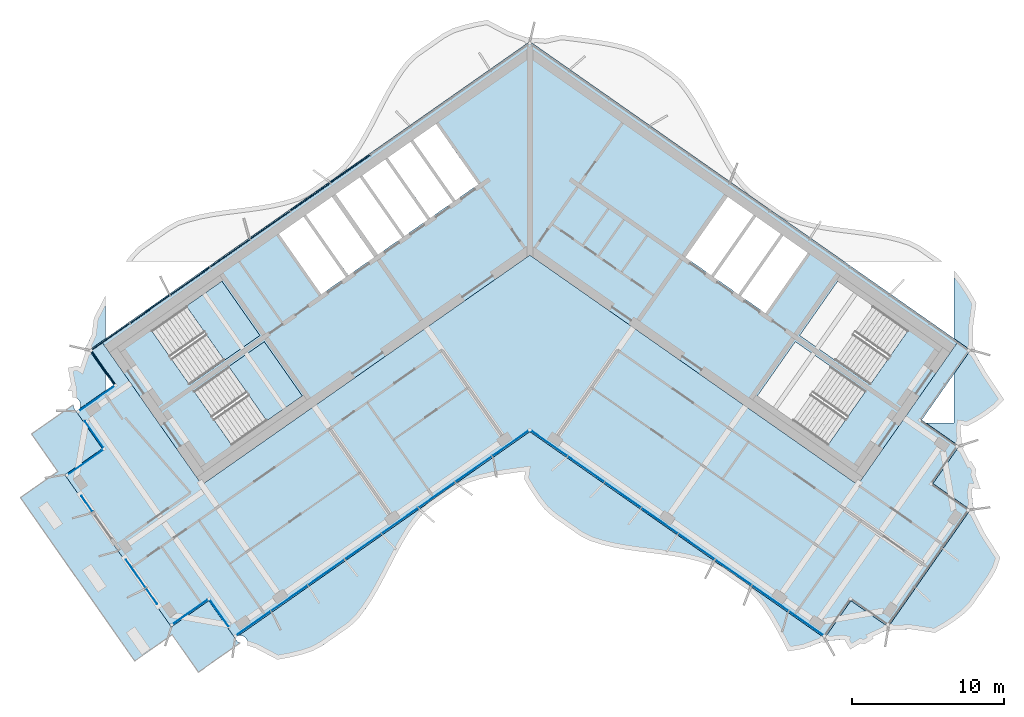
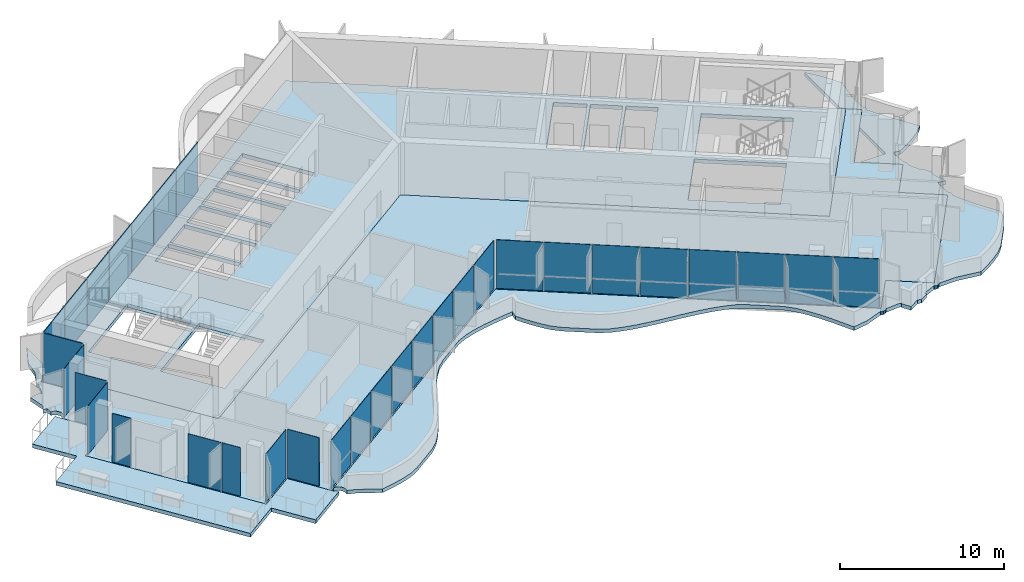
# One storey, part 7 of 18: 32 plates, 7 slabs, 5 elements without a shape of their own.
"""IFC4 building model written with IfcOpenShell, lengths in metres."""

from ifc_helpers import new_model, si_unit, direction, frame, origin, origin_2d, place, context, subcontext, project, spatial, polyline, rectangle, outline, extrude, material, layer, layer_set, type_object, element, aggregate, save


model = new_model("IFC4")

# Units and contexts
model_context = context("Model", 3, precision=1e-05, world=origin(), true_north=direction((0.0, 1.0)))
body_context = subcontext(model_context, "Body", "Model", "MODEL_VIEW")
ifc_project = project(units=[si_unit("LENGTHUNIT", "METRE"), si_unit("AREAUNIT", "SQUARE_METRE"), si_unit("VOLUMEUNIT", "CUBIC_METRE"), si_unit("PLANEANGLEUNIT", "RADIAN"), si_unit("MASSUNIT", "GRAM", prefix="KILO")], contexts=[model_context])

# Site, building, storey
site_placement = place(None, origin())
site = spatial("IfcSite", under=ifc_project, at=site_placement, CompositionType="ELEMENT")
building_placement = place(site_placement, origin())
building = spatial("IfcBuilding", under=site, at=building_placement, Name="Tel Ilan Convention Tower", CompositionType="ELEMENT")
storey_placement = place(building_placement, frame((0.0, 0.0, 295.60009765625)))
storey = spatial("IfcBuildingStorey", under=building, at=storey_placement, Name="L70", CompositionType="ELEMENT", Elevation=295.60009765625)

# Curtain wall, plates
ifc_material_1 = material(Name="Aluminium, bronze anodised", Category="aluminium")
curtain_wall_type_1 = type_object("IfcCurtainWallType", Name="CW2 STICK CURTAIN WALL, SPANDREL PANELS", PredefinedType="NOTDEFINED", material=ifc_material_1)
curtain_wall_1_placement = place(storey_placement, origin())
curtain_wall_1 = element("IfcCurtainWall", 1, at=curtain_wall_1_placement, inside=storey, type_object=curtain_wall_type_1, Name="Curtain wall CW2-53.01", PredefinedType="NOTDEFINED")
ifc_material_2 = material(Name="Aluminium composite panel, bronze anodised", Category="aluminium")
ifc_layer_1 = layer(ifc_material_2, 0.06005859375)
ifc_layer_set_1 = layer_set([ifc_layer_1], Name="CW SPANDREL PANEL 60")
plate_type_1 = type_object("IfcPlateType", Name="CW SPANDREL PANEL 60", PredefinedType="CURTAIN_PANEL", material=ifc_layer_set_1)
plate_1_placement = place(storey_placement, frame((-11.789306640625, 4.44091796875, -0.000244140625), z_axis=(0.0, 0.0, 1.0), x_axis=(-0.819152044289, -0.573576436351, 0.0)))
plate_1 = element("IfcPlate", 2, at=plate_1_placement, type_object=plate_type_1, Name="Spandrel panel", PredefinedType="CURTAIN_PANEL", context=body_context, shape_type="SweptSolid", body=[
    extrude(rectangle(XDim=3.15380859375, YDim=0.06005859375, at=origin_2d()), origin(), (0.0, 0.0, 1.0), 3.6201171875),
])
plate_2_placement = place(storey_placement, frame((-14.422119140625, 2.59765625, -0.000244140625), z_axis=(0.0, 0.0, 1.0), x_axis=(-0.819152044289, -0.573576436351, 0.0)))
plate_2 = element("IfcPlate", 3, at=plate_2_placement, type_object=plate_type_1, Name="Spandrel panel", PredefinedType="CURTAIN_PANEL", context=body_context, shape_type="SweptSolid", body=[
    extrude(rectangle(XDim=3.15380859375, YDim=0.06005859375, at=origin_2d()), origin(), (0.0, 0.0, 1.0), 3.6201171875),
])
plate_3_placement = place(storey_placement, frame((-17.0546875, 0.754150390625, -0.000244140625), z_axis=(0.0, 0.0, 1.0), x_axis=(-0.819152044289, -0.573576436351, 0.0)))
plate_3 = element("IfcPlate", 4, at=plate_3_placement, type_object=plate_type_1, Name="Spandrel panel", PredefinedType="CURTAIN_PANEL", context=body_context, shape_type="SweptSolid", body=[
    extrude(rectangle(XDim=3.15380859375, YDim=0.06005859375, at=origin_2d()), origin(), (0.0, 0.0, 1.0), 3.6201171875),
])
plate_4_placement = place(storey_placement, frame((-19.687255859375, -1.089111328125, -0.000244140625), z_axis=(0.0, 0.0, 1.0), x_axis=(-0.819152044289, -0.573576436351, 0.0)))
plate_4 = element("IfcPlate", 5, at=plate_4_placement, type_object=plate_type_1, Name="Spandrel panel", PredefinedType="CURTAIN_PANEL", context=body_context, shape_type="SweptSolid", body=[
    extrude(rectangle(XDim=3.15380859375, YDim=0.06005859375, at=origin_2d()), origin(), (0.0, 0.0, 1.0), 3.6201171875),
])
plate_5_placement = place(storey_placement, frame((-22.31982421875, -2.9326171875, -0.000244140625), z_axis=(0.0, 0.0, 1.0), x_axis=(-0.819152044289, -0.573576436351, 0.0)))
plate_5 = element("IfcPlate", 6, at=plate_5_placement, type_object=plate_type_1, Name="Spandrel panel", PredefinedType="CURTAIN_PANEL", context=body_context, shape_type="SweptSolid", body=[
    extrude(rectangle(XDim=3.15380859375, YDim=0.06005859375, at=origin_2d()), origin(), (0.0, 0.0, 1.0), 3.6201171875),
])
plate_6_placement = place(storey_placement, frame((-24.95263671875, -4.77587890625, -0.000244140625), z_axis=(0.0, 0.0, 1.0), x_axis=(-0.819152044289, -0.573576436351, 0.0)))
plate_6 = element("IfcPlate", 7, at=plate_6_placement, type_object=plate_type_1, Name="Spandrel panel", PredefinedType="CURTAIN_PANEL", context=body_context, shape_type="SweptSolid", body=[
    extrude(rectangle(XDim=3.15380859375, YDim=0.06005859375, at=origin_2d()), origin(), (0.0, 0.0, 1.0), 3.6201171875),
])
plate_7_placement = place(storey_placement, frame((-27.5400390625, -6.587646484375, -0.000244140625), z_axis=(0.0, 0.0, 1.0), x_axis=(-0.819152044289, -0.573576436351, 0.0)))
plate_7 = element("IfcPlate", 8, at=plate_7_placement, type_object=plate_type_1, Name="Spandrel panel", PredefinedType="CURTAIN_PANEL", context=body_context, shape_type="SweptSolid", body=[
    extrude(rectangle(XDim=3.0439453125, YDim=0.06005859375, at=origin_2d()), origin(), (0.0, 0.0, 1.0), 3.6201171875),
])
plate_8_placement = place(storey_placement, frame((-28.033935546875, -8.60546875, -0.000244140625), z_axis=(0.0, 0.0, 1.0), x_axis=(0.573576436351, -0.819152044289, 0.0)))
plate_8 = element("IfcPlate", 9, at=plate_8_placement, type_object=plate_type_1, Name="Spandrel panel", PredefinedType="CURTAIN_PANEL", context=body_context, shape_type="SweptSolid", body=[
    extrude(rectangle(XDim=2.658935546875, YDim=0.06005859375, at=origin_2d()), origin(), (0.0, 0.0, 1.0), 3.6201171875),
])
aggregate(curtain_wall_1, [plate_1, plate_2, plate_3, plate_4, plate_5, plate_6, plate_7, plate_8])

ifc_material_3 = material(Name="Aluminium, bronze anodised", Category="aluminium")
curtain_wall_type_2 = type_object("IfcCurtainWallType", Name="CW5 STICK CURTAIN WALL, UPPER OFFICE LOW-IRON TINTED GLASS", PredefinedType="NOTDEFINED", material=ifc_material_3)
curtain_wall_2_placement = place(storey_placement, origin())
curtain_wall_2 = element("IfcCurtainWall", 10, at=curtain_wall_2_placement, inside=storey, type_object=curtain_wall_type_2, Name="Curtain wall CW5-53.02", PredefinedType="NOTDEFINED")
ifc_material_4 = material(Name="Glass, low-iron bronze tinted, two-ply", Category="glass")
ifc_layer_2 = layer(ifc_material_4, 0.031982421875)
ifc_layer_set_2 = layer_set([ifc_layer_2], Name="CW UPPER GLASS PANEL 32")
plate_type_2 = type_object("IfcPlateType", Name="CW UPPER GLASS PANEL 32", PredefinedType="CURTAIN_PANEL", material=ifc_layer_set_2)
plate_9_placement = place(storey_placement, frame((-28.473876953125, -10.65966796875, -0.000244140625), z_axis=(0.0, 0.0, 1.0), x_axis=(-0.819152044289, -0.573576436351, 0.0)))
plate_9 = element("IfcPlate", 11, at=plate_9_placement, type_object=plate_type_2, Name="Glass panel", PredefinedType="CURTAIN_PANEL", context=body_context, shape_type="SweptSolid", body=[
    extrude(rectangle(XDim=2.875, YDim=0.028076171875, at=origin_2d()), origin(), (0.0, 0.0, 1.0), 3.6201171875),
])
plate_10_placement = place(storey_placement, frame((-28.616943359375, -13.003173828125, -0.000244140625), z_axis=(0.0, 0.0, 1.0), x_axis=(0.573576436351, -0.819152044289, 0.0)))
plate_10 = element("IfcPlate", 12, at=plate_10_placement, type_object=plate_type_2, Name="Glass panel", PredefinedType="CURTAIN_PANEL", context=body_context, shape_type="SweptSolid", body=[
    extrude(rectangle(XDim=2.123046875, YDim=0.028076171875, at=origin_2d()), origin(), (0.0, 0.0, 1.0), 3.6201171875),
])
plate_11_placement = place(storey_placement, frame((-29.21044921875, -14.837890625, -0.000244140625), z_axis=(0.0, 0.0, 1.0), x_axis=(-0.819152044289, -0.573576436351, 0.0)))
plate_11 = element("IfcPlate", 13, at=plate_11_placement, type_object=plate_type_2, Name="Glass panel", PredefinedType="CURTAIN_PANEL", context=body_context, shape_type="SweptSolid", body=[
    extrude(rectangle(XDim=2.875, YDim=0.028076171875, at=origin_2d()), origin(), (0.0, 0.0, 1.0), 3.6201171875),
])
plate_12_placement = place(storey_placement, frame((-29.089599609375, -17.55859375, -0.000244140625), z_axis=(0.0, 0.0, 1.0), x_axis=(0.573576436351, -0.819152044289, 0.0)))
plate_12 = element("IfcPlate", 14, at=plate_12_placement, type_object=plate_type_2, Name="Glass panel", PredefinedType="CURTAIN_PANEL", context=body_context, shape_type="SweptSolid", body=[
    extrude(rectangle(XDim=1.243896484375, YDim=0.028076171875, at=origin_2d()), origin(), (0.0, 0.0, 1.0), 3.6201171875),
])
aggregate(curtain_wall_2, [plate_9, plate_10, plate_11, plate_12])

curtain_wall_3_placement = place(storey_placement, origin())
curtain_wall_3 = element("IfcCurtainWall", 15, at=curtain_wall_3_placement, inside=storey, type_object=curtain_wall_type_2, Name="Curtain wall CW5-53.04", PredefinedType="NOTDEFINED")
plate_13_placement = place(storey_placement, frame((-25.877685546875, -22.145751953125, -0.000244140625), z_axis=(0.0, 0.0, 1.0), x_axis=(0.573576436351, -0.819152044289, 0.0)))
plate_13 = element("IfcPlate", 16, at=plate_13_placement, type_object=plate_type_2, Name="Glass panel", PredefinedType="CURTAIN_PANEL", context=body_context, shape_type="SweptSolid", body=[
    extrude(rectangle(XDim=2.243896484375, YDim=0.028076171875, at=origin_2d()), origin(), (0.0, 0.0, 1.0), 3.6201171875),
])
plate_14_placement = place(storey_placement, frame((-24.8427734375, -23.62353515625, -0.000244140625), z_axis=(0.0, 0.0, 1.0), x_axis=(0.573576436351, -0.819152044289, 0.0)))
plate_14 = element("IfcPlate", 17, at=plate_14_placement, type_object=plate_type_2, Name="Glass panel", PredefinedType="CURTAIN_PANEL", context=body_context, shape_type="SweptSolid", body=[
    extrude(rectangle(XDim=1.243896484375, YDim=0.028076171875, at=origin_2d()), origin(), (0.0, 0.0, 1.0), 3.6201171875),
])
plate_15_placement = place(storey_placement, frame((-22.32763671875, -24.667724609375, -0.000244140625), z_axis=(0.0, 0.0, 1.0), x_axis=(0.819152044289, 0.573576436351, 0.0)))
plate_15 = element("IfcPlate", 18, at=plate_15_placement, type_object=plate_type_2, Name="Glass panel", PredefinedType="CURTAIN_PANEL", context=body_context, shape_type="SweptSolid", body=[
    extrude(rectangle(XDim=2.875, YDim=0.028076171875, at=origin_2d()), origin(), (0.0, 0.0, 1.0), 3.6201171875),
])
plate_16_placement = place(storey_placement, frame((-20.400634765625, -24.737548828125, -0.000244140625), z_axis=(0.0, 0.0, 1.0), x_axis=(0.573576436351, -0.819152044289, 0.0)))
plate_16 = element("IfcPlate", 19, at=plate_16_placement, type_object=plate_type_2, Name="Glass panel", PredefinedType="CURTAIN_PANEL", context=body_context, shape_type="SweptSolid", body=[
    extrude(rectangle(XDim=2.123046875, YDim=0.028076171875, at=origin_2d()), origin(), (0.0, 0.0, 1.0), 3.6201171875),
])
plate_17_placement = place(storey_placement, frame((-18.17919921875, -25.42529296875, -0.000244140625), z_axis=(0.0, 0.0, 1.0), x_axis=(0.819152044289, 0.573576436351, 0.0)))
plate_17 = element("IfcPlate", 20, at=plate_17_placement, type_object=plate_type_2, Name="Glass panel", PredefinedType="CURTAIN_PANEL", context=body_context, shape_type="SweptSolid", body=[
    extrude(rectangle(XDim=2.802001953125, YDim=0.028076171875, at=origin_2d()), origin(), (0.0, 0.0, 1.0), 3.6201171875),
])
plate_18_placement = place(storey_placement, frame((-15.79638671875, -23.7568359375, -0.000244140625), z_axis=(0.0, 0.0, 1.0), x_axis=(0.819152044289, 0.573576436351, 0.0)))
plate_18 = element("IfcPlate", 21, at=plate_18_placement, type_object=plate_type_2, Name="Glass panel", PredefinedType="CURTAIN_PANEL", context=body_context, shape_type="SweptSolid", body=[
    extrude(rectangle(XDim=2.89599609375, YDim=0.028076171875, at=origin_2d()), origin(), (0.0, 0.0, 1.0), 3.6201171875),
])
plate_19_placement = place(storey_placement, frame((-13.375, -22.061279296875, -0.000244140625), z_axis=(0.0, 0.0, 1.0), x_axis=(0.819152044289, 0.573576436351, 0.0)))
plate_19 = element("IfcPlate", 22, at=plate_19_placement, type_object=plate_type_2, Name="Glass panel", PredefinedType="CURTAIN_PANEL", context=body_context, shape_type="SweptSolid", body=[
    extrude(rectangle(XDim=2.89599609375, YDim=0.028076171875, at=origin_2d()), origin(), (0.0, 0.0, 1.0), 3.6201171875),
])
plate_20_placement = place(storey_placement, frame((-10.95361328125, -20.365966796875, -0.000244140625), z_axis=(0.0, 0.0, 1.0), x_axis=(0.819152044289, 0.573576436351, 0.0)))
plate_20 = element("IfcPlate", 23, at=plate_20_placement, type_object=plate_type_2, Name="Glass panel", PredefinedType="CURTAIN_PANEL", context=body_context, shape_type="SweptSolid", body=[
    extrude(rectangle(XDim=2.89599609375, YDim=0.028076171875, at=origin_2d()), origin(), (0.0, 0.0, 1.0), 3.6201171875),
])
plate_21_placement = place(storey_placement, frame((-8.5322265625, -18.67041015625, -0.000244140625), z_axis=(0.0, 0.0, 1.0), x_axis=(0.819152044289, 0.573576436351, 0.0)))
plate_21 = element("IfcPlate", 24, at=plate_21_placement, type_object=plate_type_2, Name="Glass panel", PredefinedType="CURTAIN_PANEL", context=body_context, shape_type="SweptSolid", body=[
    extrude(rectangle(XDim=2.89599609375, YDim=0.028076171875, at=origin_2d()), origin(), (0.0, 0.0, 1.0), 3.6201171875),
])
plate_22_placement = place(storey_placement, frame((-6.11083984375, -16.974853515625, -0.000244140625), z_axis=(0.0, 0.0, 1.0), x_axis=(0.819152044289, 0.573576436351, 0.0)))
plate_22 = element("IfcPlate", 25, at=plate_22_placement, type_object=plate_type_2, Name="Glass panel", PredefinedType="CURTAIN_PANEL", context=body_context, shape_type="SweptSolid", body=[
    extrude(rectangle(XDim=2.89599609375, YDim=0.028076171875, at=origin_2d()), origin(), (0.0, 0.0, 1.0), 3.6201171875),
])
plate_23_placement = place(storey_placement, frame((-3.689453125, -15.279541015625, -0.000244140625), z_axis=(0.0, 0.0, 1.0), x_axis=(0.819152044289, 0.573576436351, 0.0)))
plate_23 = element("IfcPlate", 26, at=plate_23_placement, type_object=plate_type_2, Name="Glass panel", PredefinedType="CURTAIN_PANEL", context=body_context, shape_type="SweptSolid", body=[
    extrude(rectangle(XDim=2.89599609375, YDim=0.028076171875, at=origin_2d()), origin(), (0.0, 0.0, 1.0), 3.6201171875),
])
plate_24_placement = place(storey_placement, frame((-1.2685546875, -13.584228515625, -0.000244140625), z_axis=(0.0, 0.0, 1.0), x_axis=(0.819152044289, 0.573576436351, 0.0)))
plate_24 = element("IfcPlate", 27, at=plate_24_placement, type_object=plate_type_2, Name="Glass panel", PredefinedType="CURTAIN_PANEL", context=body_context, shape_type="SweptSolid", body=[
    extrude(rectangle(XDim=2.89501953125, YDim=0.028076171875, at=origin_2d()), origin(), (0.0, 0.0, 1.0), 3.6201171875),
])
plate_25_placement = place(storey_placement, frame((1.280029296875, -13.59228515625, -0.000244140625), z_axis=(0.0, 0.0, 1.0), x_axis=(0.819152044289, -0.573576436351, 0.0)))
plate_25 = element("IfcPlate", 28, at=plate_25_placement, type_object=plate_type_2, Name="Glass panel", PredefinedType="CURTAIN_PANEL", context=body_context, shape_type="SweptSolid", body=[
    extrude(rectangle(XDim=2.866943359375, YDim=0.028076171875, at=origin_2d()), origin(), (0.0, 0.0, 1.0), 3.6201171875),
])
plate_26_placement = place(storey_placement, frame((3.689453125, -15.279541015625, -0.000244140625), z_axis=(0.0, 0.0, 1.0), x_axis=(0.819152044289, -0.573576436351, 0.0)))
plate_26 = element("IfcPlate", 29, at=plate_26_placement, type_object=plate_type_2, Name="Glass panel", PredefinedType="CURTAIN_PANEL", context=body_context, shape_type="SweptSolid", body=[
    extrude(rectangle(XDim=2.89599609375, YDim=0.028076171875, at=origin_2d()), origin(), (0.0, 0.0, 1.0), 3.6201171875),
])
plate_27_placement = place(storey_placement, frame((6.11083984375, -16.974853515625, -0.000244140625), z_axis=(0.0, 0.0, 1.0), x_axis=(0.819152044289, -0.573576436351, 0.0)))
plate_27 = element("IfcPlate", 30, at=plate_27_placement, type_object=plate_type_2, Name="Glass panel", PredefinedType="CURTAIN_PANEL", context=body_context, shape_type="SweptSolid", body=[
    extrude(rectangle(XDim=2.89599609375, YDim=0.028076171875, at=origin_2d()), origin(), (0.0, 0.0, 1.0), 3.6201171875),
])
plate_28_placement = place(storey_placement, frame((8.5322265625, -18.67041015625, -0.000244140625), z_axis=(0.0, 0.0, 1.0), x_axis=(0.819152044289, -0.573576436351, 0.0)))
plate_28 = element("IfcPlate", 31, at=plate_28_placement, type_object=plate_type_2, Name="Glass panel", PredefinedType="CURTAIN_PANEL", context=body_context, shape_type="SweptSolid", body=[
    extrude(rectangle(XDim=2.89599609375, YDim=0.028076171875, at=origin_2d()), origin(), (0.0, 0.0, 1.0), 3.6201171875),
])
plate_29_placement = place(storey_placement, frame((10.95361328125, -20.365966796875, -0.000244140625), z_axis=(0.0, 0.0, 1.0), x_axis=(0.819152044289, -0.573576436351, 0.0)))
plate_29 = element("IfcPlate", 32, at=plate_29_placement, type_object=plate_type_2, Name="Glass panel", PredefinedType="CURTAIN_PANEL", context=body_context, shape_type="SweptSolid", body=[
    extrude(rectangle(XDim=2.89599609375, YDim=0.028076171875, at=origin_2d()), origin(), (0.0, 0.0, 1.0), 3.6201171875),
])
plate_30_placement = place(storey_placement, frame((13.375, -22.061279296875, -0.000244140625), z_axis=(0.0, 0.0, 1.0), x_axis=(0.819152044289, -0.573576436351, 0.0)))
plate_30 = element("IfcPlate", 33, at=plate_30_placement, type_object=plate_type_2, Name="Glass panel", PredefinedType="CURTAIN_PANEL", context=body_context, shape_type="SweptSolid", body=[
    extrude(rectangle(XDim=2.89599609375, YDim=0.028076171875, at=origin_2d()), origin(), (0.0, 0.0, 1.0), 3.6201171875),
])
plate_31_placement = place(storey_placement, frame((15.79638671875, -23.7568359375, -0.000244140625), z_axis=(0.0, 0.0, 1.0), x_axis=(0.819152044289, -0.573576436351, 0.0)))
plate_31 = element("IfcPlate", 34, at=plate_31_placement, type_object=plate_type_2, Name="Glass panel", PredefinedType="CURTAIN_PANEL", context=body_context, shape_type="SweptSolid", body=[
    extrude(rectangle(XDim=2.89599609375, YDim=0.028076171875, at=origin_2d()), origin(), (0.0, 0.0, 1.0), 3.6201171875),
])
plate_32_placement = place(storey_placement, frame((18.17919921875, -25.42529296875, -0.000244140625), z_axis=(0.0, 0.0, 1.0), x_axis=(0.819152044289, -0.573576436351, 0.0)))
plate_32 = element("IfcPlate", 35, at=plate_32_placement, type_object=plate_type_2, Name="Glass panel", PredefinedType="CURTAIN_PANEL", context=body_context, shape_type="SweptSolid", body=[
    extrude(rectangle(XDim=2.802001953125, YDim=0.028076171875, at=origin_2d()), origin(), (0.0, 0.0, 1.0), 3.6201171875),
])
aggregate(curtain_wall_3, [plate_13, plate_14, plate_15, plate_16, plate_17, plate_18, plate_19, plate_20, plate_21, plate_22, plate_23, plate_24, plate_25, plate_26, plate_27, plate_28, plate_29, plate_30, plate_31, plate_32])

# Stair, slab
ifc_material_5 = material(Name="Concrete C40/50", Category="concrete")
stair_type = type_object("IfcStairType", Name="Pressurised Exit Stair 22 risers 177 mm", PredefinedType="HALF_TURN_STAIR", material=ifc_material_5)
stair_1_placement = place(storey_placement, origin())
stair_1 = element("IfcStair", 36, at=stair_1_placement, inside=storey, type_object=stair_type, Name="L70 Pressurised Stair S1", PredefinedType="HALF_TURN_STAIR")
ifc_material_6 = material(Name="Concrete C40/50", Category="concrete")
ifc_layer_3 = layer(ifc_material_6, 0.199951171875)
ifc_layer_set_3 = layer_set([ifc_layer_3], Name="Concrete Stair Landing 200 mm C40/50")
slab_type_1 = type_object("IfcSlabType", Name="Concrete Stair Landing 200 mm", PredefinedType="LANDING", material=ifc_layer_set_3)
slab_1_placement = place(storey_placement, frame((0.0, 0.0, 1.75)))
slab_1 = element("IfcSlab", 37, at=slab_1_placement, type_object=slab_type_1, Name="S1 landing 1", PredefinedType="LANDING", context=body_context, shape_type="SweptSolid", body=[
    extrude(outline(polyline([(-20.066650390625, -8.130126953125), (-17.7314453125, -6.494873046875), (-20.226318359375, -2.931640625), (-22.561767578125, -4.566650390625), (-20.066650390625, -8.130126953125)])), origin(), (0.0, 0.0, 1.0), 0.199951171875),
])
aggregate(stair_1, [slab_1])

stair_2_placement = place(storey_placement, origin())
stair_2 = element("IfcStair", 38, at=stair_2_placement, inside=storey, type_object=stair_type, Name="L70 Pressurised Stair S2", PredefinedType="HALF_TURN_STAIR")
slab_2_placement = place(storey_placement, frame((0.0, 0.0, 1.75)))
slab_2 = element("IfcSlab", 39, at=slab_2_placement, type_object=slab_type_1, Name="S2 landing 1", PredefinedType="LANDING", context=body_context, shape_type="SweptSolid", body=[
    extrude(outline(polyline([(-17.28466796875, -12.10302734375), (-14.949462890625, -10.4677734375), (-17.444580078125, -6.904541015625), (-19.77978515625, -8.53955078125), (-17.28466796875, -12.10302734375)])), origin(), (0.0, 0.0, 1.0), 0.199951171875),
])
aggregate(stair_2, [slab_2])

# Slabs
ifc_material_7 = material(Name="Concrete C40/50", Category="concrete")
ifc_layer_4 = layer(ifc_material_7, 0.280029296875)
ifc_layer_set_4 = layer_set([ifc_layer_4], Name="Core Floor Slab 280 mm C40/50")
slab_type_2 = type_object("IfcSlabType", Name="Core Floor Slab 280 mm C40/50", PredefinedType="FLOOR", material=ifc_layer_set_4)
slab_3_placement = place(storey_placement, frame((0.0, 0.0, -0.280029296875)))
element("IfcSlab", 40, at=slab_3_placement, inside=storey, type_object=slab_type_2, Name="L70 core floor 1", PredefinedType="FLOOR", context=body_context, shape_type="SweptSolid", body=[
    extrude(outline(polyline([(-28.1396484375, -6.885498046875), (0.0, 12.818115234375), (28.1396484375, -6.885498046875), (21.54345703125, -16.3056640625), (0.0, -1.220703125), (-21.54345703125, -16.3056640625), (-28.1396484375, -6.885498046875)]), holes=[polyline([(-17.444580078125, -6.904541015625), (-22.072021484375, -10.144775390625), (-19.5771484375, -13.7080078125), (-14.949462890625, -10.4677734375), (-17.444580078125, -6.904541015625)]), polyline([(-17.7314453125, -6.494873046875), (-20.226318359375, -2.931640625), (-24.85400390625, -6.171875), (-22.35888671875, -9.735107421875), (-17.7314453125, -6.494873046875)]), polyline([(-14.864990234375, 1.310791015625), (-16.48291015625, 0.177978515625), (-13.701171875, -3.794921875), (-12.083251953125, -2.662109375), (-14.864990234375, 1.310791015625)]), polyline([(-14.701416015625, 1.425537109375), (-11.91943359375, -2.54736328125), (-10.2197265625, -1.357421875), (-13.001708984375, 2.615478515625), (-14.701416015625, 1.425537109375)]), polyline([(-11.168701171875, 3.89892578125), (-12.755859375, 2.78759765625), (-9.97412109375, -1.185302734375), (-8.386962890625, -0.073974609375), (-11.168701171875, 3.89892578125)]), polyline([(-9.499755859375, 5.067626953125), (-11.0048828125, 4.013671875), (-8.222900390625, 0.040771484375), (-6.718017578125, 1.0947265625), (-9.499755859375, 5.067626953125)]), polyline([(-9.3359375, 5.182373046875), (-6.553955078125, 1.20947265625), (-5.048828125, 2.263427734375), (-7.830810546875, 6.236328125), (-9.3359375, 5.182373046875)]), polyline([(17.444580078125, -6.904541015625), (14.949462890625, -10.4677734375), (19.5771484375, -13.7080078125), (22.072021484375, -10.144775390625), (17.444580078125, -6.904541015625)]), polyline([(20.226318359375, -2.931640625), (17.7314453125, -6.494873046875), (22.35888671875, -9.735107421875), (24.85400390625, -6.171875), (20.226318359375, -2.931640625)]), polyline([(15.48291015625, -5.04248046875), (18.2646484375, -1.069580078125), (16.646728515625, 0.063232421875), (13.864990234375, -3.90966796875), (15.48291015625, -5.04248046875)]), polyline([(13.701171875, -3.794921875), (16.48291015625, 0.177978515625), (14.864990234375, 1.310791015625), (12.083251953125, -2.662109375), (13.701171875, -3.794921875)]), polyline([(11.91943359375, -2.54736328125), (14.701416015625, 1.425537109375), (13.001708984375, 2.615478515625), (10.2197265625, -1.357421875), (11.91943359375, -2.54736328125)]), polyline([(-6.16162109375, 7.405029296875), (-7.666748046875, 6.35107421875), (-4.885009765625, 2.378173828125), (-3.3798828125, 3.43212890625), (-6.16162109375, 7.405029296875)])]), origin(), (0.0, 0.0, 1.0), 0.280029296875),
])
ifc_material_8 = material(Name="Concrete C40/50", Category="concrete")
ifc_layer_5 = layer(ifc_material_8, 0.280029296875)
ifc_layer_set_5 = layer_set([ifc_layer_5], Name="Edge Ledge Slab 280 mm C40/50")
slab_type_3 = type_object("IfcSlabType", Name="Edge Ledge Slab 280 mm C40/50", PredefinedType="FLOOR", material=ifc_layer_set_5)
slab_4_placement = place(storey_placement, frame((0.0, 0.0, -0.280029296875)))
element("IfcSlab", 41, at=slab_4_placement, inside=storey, type_object=slab_type_3, Name="L70 edge ledge 1", PredefinedType="FLOOR", context=body_context, shape_type="SweptSolid", body=[
    extrude(outline(polyline([(19.37109375, -26.382080078125), (21.091796875, -23.924560546875), (23.54931640625, -25.645263671875), (28.94091796875, -17.9453125), (26.4833984375, -16.224609375), (28.2041015625, -13.76708984375), (26.023681640625, -12.239990234375), (27.875, -12.239990234375), (27.875, -9.007080078125), (28.958740234375, -7.458984375), (27.875, -6.7001953125), (27.875, -2.269287109375), (28.0107421875, -2.392578125), (28.48388671875, -3.001220703125), (28.922119140625, -3.6591796875), (29.331298828125, -4.35888671875), (29.109619140625, -5.95947265625), (29.130859375, -7.21337890625), (29.127685546875, -7.218017578125), (29.1708984375, -7.246826171875), (29.236083984375, -7.34423828125), (29.2587890625, -7.458984375), (29.236083984375, -7.57373046875), (29.199951171875, -7.6279296875), (29.20458984375, -7.631103515625), (30.056640625, -9.082275390625), (31.151123046875, -10.703125), (30.66748046875, -11.218994140625), (30.077880859375, -11.660888671875), (29.445068359375, -12.072265625), (28.752685546875, -12.44189453125), (28.33642578125, -12.373291015625), (28.291748046875, -12.595947265625), (28.376220703125, -13.521240234375), (28.373046875, -13.52587890625), (28.41650390625, -13.554931640625), (28.4814453125, -13.652099609375), (28.504150390625, -13.76708984375), (28.4814453125, -13.8818359375), (28.4453125, -13.935791015625), (28.449951171875, -13.939208984375), (28.889404296875, -14.805419921875), (28.979736328125, -14.751708984375), (29.3232421875, -15.30712890625), (29.26171875, -15.613037109375), (29.61181640625, -16.583740234375), (29.080078125, -16.5166015625), (29.028564453125, -16.774169921875), (29.113037109375, -17.699462890625), (29.10986328125, -17.7041015625), (29.153076171875, -17.733154296875), (29.218017578125, -17.830322265625), (29.240966796875, -17.9453125), (29.218017578125, -18.06005859375), (29.181884765625, -18.114013671875), (29.186767578125, -18.1171875), (29.872314453125, -19.47998046875), (30.8984375, -21.081298828125), (30.669189453125, -21.803466796875), (30.31298828125, -22.436767578125), (29.068603515625, -24.213623046875), (28.5625, -24.741943359375), (27.960693359375, -25.203369140625), (27.311767578125, -25.631591796875), (26.617919921875, -26.0283203125), (25.015625, -25.789306640625), (23.795166015625, -25.8173828125), (23.790283203125, -25.81396484375), (23.761474609375, -25.857421875), (23.664306640625, -25.92236328125), (23.54931640625, -25.9453125), (23.4345703125, -25.92236328125), (23.380615234375, -25.88623046875), (23.377197265625, -25.89111328125), (22.488525390625, -26.292236328125), (22.564697265625, -26.4208984375), (22.00927734375, -26.76416015625), (21.740478515625, -26.710205078125), (21.052978515625, -27.1181640625), (20.709716796875, -26.5625), (20.72119140625, -26.50537109375), (20.542236328125, -26.469482421875), (19.616943359375, -26.553955078125), (19.6123046875, -26.55078125), (19.583251953125, -26.593994140625), (19.486083984375, -26.6591796875), (19.37109375, -26.681884765625), (19.25634765625, -26.6591796875), (19.202392578125, -26.623046875), (19.19921875, -26.627685546875), (17.98388671875, -27.074951171875), (16.96240234375, -27.2451171875), (16.57958984375, -26.50341796875), (16.18994140625, -25.771728515625), (15.782958984375, -25.064453125), (15.349853515625, -24.39453125), (14.88330078125, -23.7724609375), (14.356201171875, -23.23681640625), (12.540283203125, -21.965087890625), (11.8955078125, -21.59765625), (11.16455078125, -21.353271484375), (10.3974609375, -21.159912109375), (9.601806640625, -21.008056640625), (8.785888671875, -20.885009765625), (7.958740234375, -20.777587890625), (7.130615234375, -20.672119140625), (6.311279296875, -20.553955078125), (5.510009765625, -20.40966796875), (4.73583984375, -20.22705078125), (3.99609375, -19.9951171875), (3.325927734375, -19.663818359375), (1.510009765625, -18.39208984375), (0.956298828125, -17.894287109375), (0.481201171875, -17.28466796875), (0.041015625, -16.624755859375), (-0.370361328125, -15.923583984375), (-0.30078125, -15.41357421875), (-0.840576171875, -15.48291015625), (-1.66162109375, -15.598876953125), (-2.465087890625, -15.739501953125), (-3.242919921875, -15.9169921875), (-3.987060546875, -16.142822265625), (-4.670654296875, -16.454833984375), (-6.48681640625, -17.726318359375), (-7.052734375, -18.206787109375), (-7.532470703125, -18.809814453125), (-7.976318359375, -19.464599609375), (-8.39111328125, -20.160400390625), (-8.785888671875, -20.885009765625), (-9.16943359375, -21.62548828125), (-9.552001953125, -22.367431640625), (-9.943359375, -23.09716796875), (-10.352783203125, -23.800537109375), (-10.789306640625, -24.4658203125), (-11.26025390625, -25.08154296875), (-11.80078125, -25.597900390625), (-13.61669921875, -26.86962890625), (-14.274169921875, -27.219482421875), (-15.009521484375, -27.45751953125), (-15.780029296875, -27.645263671875), (-16.57958984375, -27.7919921875), (-18.00830078125, -27.0400390625), (-18.566162109375, -26.846923828125), (-18.562744140625, -26.837158203125), (-18.552001953125, -26.789306640625), (-18.5458984375, -26.740478515625), (-18.54443359375, -26.691650390625), (-18.5478515625, -26.642578125), (-18.55615234375, -26.59423828125), (-18.569091796875, -26.546875), (-18.586669921875, -26.501220703125), (-18.608642578125, -26.457275390625), (-18.634765625, -26.415771484375), (-18.664794921875, -26.376953125), (-18.698486328125, -26.34130859375), (-18.735595703125, -26.30908203125), (-18.775634765625, -26.28076171875), (-18.818359375, -26.256591796875), (-18.863037109375, -26.236572265625), (-18.90966796875, -26.220947265625), (-18.95751953125, -26.210205078125), (-19.006103515625, -26.203857421875), (-19.05517578125, -26.20263671875), (-19.12158203125, -26.207275390625), (0.0, -12.818115234375), (19.37109375, -26.382080078125)])), origin(), (0.0, 0.0, 1.0), 0.280029296875),
])
slab_5_placement = place(storey_placement, frame((0.0, 0.0, -0.280029296875)))
element("IfcSlab", 42, at=slab_5_placement, inside=storey, type_object=slab_type_3, Name="L70 edge ledge 3", PredefinedType="FLOOR", context=body_context, shape_type="SweptSolid", body=[
    extrude(outline(polyline([(-29.515869140625, -11.105224609375), (-29.5146484375, -11.05615234375), (-29.51806640625, -11.007080078125), (-29.5263671875, -10.958740234375), (-29.539306640625, -10.91162109375), (-29.556884765625, -10.86572265625), (-29.578857421875, -10.82177734375), (-29.60498046875, -10.7802734375), (-29.635009765625, -10.741455078125), (-29.668701171875, -10.705810546875), (-29.705810546875, -10.673583984375), (-29.745849609375, -10.645263671875), (-29.788330078125, -10.62109375), (-29.833251953125, -10.60107421875), (-29.8798828125, -10.58544921875), (-29.927490234375, -10.57470703125), (-29.976318359375, -10.568603515625), (-30.025390625, -10.567138671875), (-30.031982421875, -10.567626953125), (-30.06494140625, -10.129150390625), (-30.35888671875, -10.1484375), (-30.1298828125, -9.741455078125), (-30.340576171875, -8.623779296875), (-29.700927734375, -8.4912109375), (-29.5205078125, -8.601318359375), (-29.20458984375, -7.631103515625), (-29.199951171875, -7.6279296875), (-29.236083984375, -7.57373046875), (-29.2587890625, -7.458984375), (-29.236083984375, -7.34423828125), (-29.1708984375, -7.246826171875), (-29.127685546875, -7.218017578125), (-29.130859375, -7.21337890625), (-28.772216796875, -6.441650390625), (-28.635009765625, -5.353515625), (-28.252685546875, -4.614990234375), (-27.875, -3.881103515625), (-27.875, -6.7001953125), (-28.958740234375, -7.458984375), (-27.875, -9.007080078125), (-27.875, -10.1181640625), (-29.57568359375, -11.30908203125), (-29.548583984375, -11.248291015625), (-29.532958984375, -11.20166015625), (-29.522216796875, -11.15380859375), (-29.515869140625, -11.105224609375)])), origin(), (0.0, 0.0, 1.0), 0.280029296875),
])
ifc_material_9 = material(Name="Concrete C40/50", Category="concrete")
ifc_layer_6 = layer(ifc_material_9, 0.280029296875)
ifc_layer_set_6 = layer_set([ifc_layer_6], Name="Flat Plate Floor Slab 280 mm C40/50")
slab_type_4 = type_object("IfcSlabType", Name="Flat Plate Floor Slab 280 mm C40/50", PredefinedType="FLOOR", material=ifc_layer_set_6)
slab_6_placement = place(storey_placement, frame((0.0, 0.0, -0.280029296875)))
element("IfcSlab", 43, at=slab_6_placement, inside=storey, type_object=slab_type_4, Name="L70 floor slab", PredefinedType="FLOOR", context=body_context, shape_type="SweptSolid", body=[
    extrude(outline(polyline([(-21.091796875, -23.924560546875), (-23.54931640625, -25.645263671875), (-30.547119140625, -15.651611328125), (-28.089599609375, -13.930908203125), (-29.810302734375, -11.473388671875), (-27.352783203125, -9.752685546875), (-28.958740234375, -7.458984375), (-28.1396484375, -6.885498046875), (-21.54345703125, -16.3056640625), (0.0, -1.220703125), (21.54345703125, -16.3056640625), (28.1396484375, -6.885498046875), (28.958740234375, -7.458984375), (25.746826171875, -12.04638671875), (28.2041015625, -13.76708984375), (26.4833984375, -16.224609375), (28.94091796875, -17.9453125), (23.54931640625, -25.645263671875), (21.091796875, -23.924560546875), (19.37109375, -26.382080078125), (0.0, -12.818115234375), (-19.37109375, -26.382080078125), (-21.091796875, -23.924560546875)])), origin(), (0.0, 0.0, 1.0), 0.280029296875),
])
ifc_material_10 = material(Name="Concrete C40/50", Category="concrete")
ifc_layer_7 = layer(ifc_material_10, 0.280029296875)
ifc_layer_set_7 = layer_set([ifc_layer_7], Name="Terrace Deck Slab 280 mm C40/50")
slab_type_5 = type_object("IfcSlabType", Name="Terrace Deck Slab 280 mm C40/50", PredefinedType="FLOOR", material=ifc_layer_set_7)
slab_7_placement = place(storey_placement, frame((0.0, 0.0, -0.280029296875)))
element("IfcSlab", 44, at=slab_7_placement, inside=storey, type_object=slab_type_5, Name="L70 terrace deck 1", PredefinedType="FLOOR", context=body_context, shape_type="SweptSolid", body=[
    extrude(outline(polyline([(-25.95361328125, -27.8779296875), (-33.46728515625, -17.147216796875), (-31.010009765625, -15.426513671875), (-32.730712890625, -12.968994140625), (-29.995361328125, -11.0537109375), (-29.982421875, -11.227783203125), (-28.089599609375, -13.930908203125), (-30.547119140625, -15.651611328125), (-23.54931640625, -25.645263671875), (-21.091796875, -23.924560546875), (-19.19921875, -26.627685546875), (-19.024169921875, -26.688232421875), (-21.775390625, -28.61474609375), (-23.49609375, -26.1572265625), (-25.95361328125, -27.8779296875)])), origin(), (0.0, 0.0, 1.0), 0.280029296875),
])

save(model, "model.ifc")
